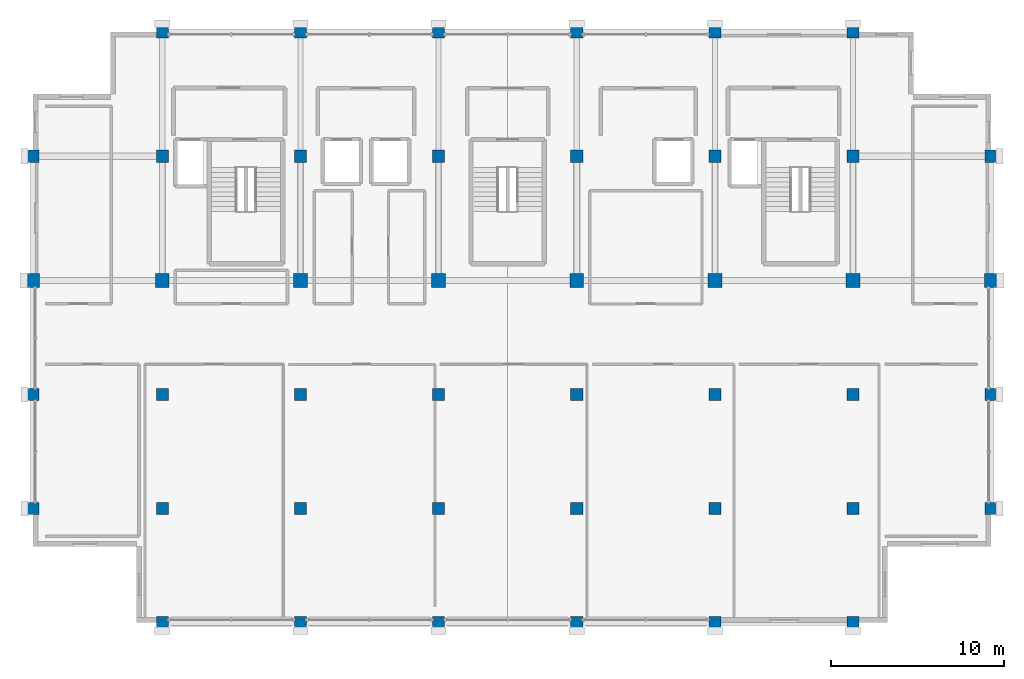
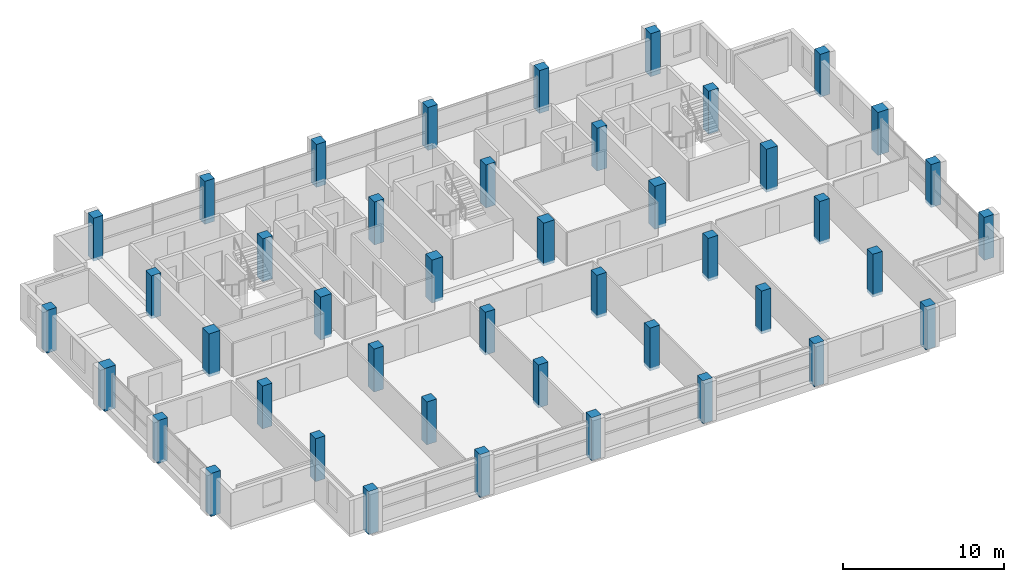
# One storey, part 1 of 24: 44 columns.
"""IFC4 building model written with IfcOpenShell, lengths in metres."""

from ifc_helpers import new_model, si_unit, direction, frame, origin, origin_2d, place, context, subcontext, project, spatial, rectangle, extrude, material, material_profile, profile_set, type_object, element, save


model = new_model("IFC4")

# Units and contexts
model_context = context("Model", 3, precision=1e-05, world=origin(), true_north=direction((0.0, 1.0)))
body_context = subcontext(model_context, "Body", "Model", "MODEL_VIEW")
ifc_project = project(units=[si_unit("LENGTHUNIT", "METRE"), si_unit("AREAUNIT", "SQUARE_METRE"), si_unit("VOLUMEUNIT", "CUBIC_METRE"), si_unit("PLANEANGLEUNIT", "RADIAN"), si_unit("MASSUNIT", "GRAM", prefix="KILO")], contexts=[model_context])

# Site, building, storey
site_placement = place(None, origin())
site = spatial("IfcSite", under=ifc_project, at=site_placement, CompositionType="ELEMENT")
building_placement = place(site_placement, origin())
building = spatial("IfcBuilding", under=site, at=building_placement, Name="Akrevak Sports Hall", CompositionType="ELEMENT")
storey_placement = place(building_placement, frame((0.0, 0.0, 56.800048828125)))
storey = spatial("IfcBuildingStorey", under=building, at=storey_placement, Name="L14", CompositionType="ELEMENT", Elevation=56.800048828125)

# Columns
ifc_material = material(Name="Concrete C40/50", Category="concrete")
ifc_material_profile_1 = material_profile(ifc_material, rectangle(XDim=0.699951171875, YDim=0.699951171875, at=origin_2d()), Name="RC 700x700", Category="concrete")
ifc_profile_set_1 = profile_set([ifc_material_profile_1], Name="Concrete C40/50")
column_type_1 = type_object("IfcColumnType", Name="STR-COL-RC700", PredefinedType="COLUMN", material=ifc_profile_set_1)
for number, where, z_axis, x_axis, name in (
    (1, (52.5, 42.0, -0.219970703125), (0.0, 0.0, 1.0), (1.0, 0.0, 0.0), "Column 8/G (L14)"),
    (2, (52.5, 48.60009765625, -0.219970703125), (0.0, 0.0, 1.0), (1.0, 0.0, 0.0), "Column 8/H (L14)"),
    (3, (52.5, 62.39990234375, -0.219970703125), (0.0, 0.0, 1.0), (1.0, 0.0, 0.0), "Column 8/J (L14)"),
    (4, (60.0, 35.39990234375, -0.219970703125), (0.0, 0.0, 1.0), (1.0, 0.0, 0.0), "Column 9/F (L14)"),
    (5, (60.0, 42.0, -0.219970703125), (0.0, 0.0, 1.0), (1.0, 0.0, 0.0), "Column 9/G (L14)"),
    (6, (60.0, 48.60009765625, -0.219970703125), (0.0, 0.0, 1.0), (1.0, 0.0, 0.0), "Column 9/H (L14)"),
    (7, (60.0, 62.39990234375, -0.219970703125), (0.0, 0.0, 1.0), (1.0, 0.0, 0.0), "Column 9/J (L14)"),
    (8, (60.0, 69.60009765625, -0.219970703125), (0.0, 0.0, 1.0), (1.0, 0.0, 0.0), "Column 9/K (L14)"),
    (9, (68.0, 35.39990234375, -0.219970703125), (0.0, 0.0, 1.0), (1.0, 0.0, 0.0), "Column 10/F (L14)"),
    (10, (68.0, 42.0, -0.219970703125), (0.0, 0.0, 1.0), (1.0, 0.0, 0.0), "Column 10/G (L14)"),
    (11, (68.0, 48.60009765625, -0.219970703125), (0.0, 0.0, 1.0), (1.0, 0.0, 0.0), "Column 10/H (L14)"),
    (12, (68.0, 62.39990234375, -0.219970703125), (0.0, 0.0, 1.0), (1.0, 0.0, 0.0), "Column 10/J (L14)"),
    (13, (68.0, 69.60009765625, -0.219970703125), (0.0, 0.0, 1.0), (1.0, 0.0, 0.0), "Column 10/K (L14)"),
    (14, (76.0, 35.39990234375, -0.219970703125), (0.0, 0.0, 1.0), (1.0, 0.0, 0.0), "Column 11/F (L14)"),
    (15, (76.0, 42.0, -0.219970703125), (0.0, 0.0, 1.0), (1.0, 0.0, 0.0), "Column 11/G (L14)"),
    (16, (76.0, 48.60009765625, -0.219970703125), (0.0, 0.0, 1.0), (1.0, 0.0, 0.0), "Column 11/H (L14)"),
    (17, (76.0, 62.39990234375, -0.219970703125), (0.0, 0.0, 1.0), (1.0, 0.0, 0.0), "Column 11/J (L14)"),
    (18, (76.0, 69.60009765625, -0.219970703125), (0.0, 0.0, 1.0), (1.0, 0.0, 0.0), "Column 11/K (L14)"),
    (19, (84.0, 35.39990234375, -0.219970703125), (0.0, 0.0, 1.0), (1.0, 0.0, 0.0), "Column 12/F (L14)"),
    (20, (84.0, 42.0, -0.219970703125), (0.0, 0.0, 1.0), (1.0, 0.0, 0.0), "Column 12/G (L14)"),
    (21, (84.0, 48.60009765625, -0.219970703125), (0.0, 0.0, 1.0), (1.0, 0.0, 0.0), "Column 12/H (L14)"),
    (22, (84.0, 62.39990234375, -0.219970703125), (0.0, 0.0, 1.0), (1.0, 0.0, 0.0), "Column 12/J (L14)"),
    (23, (84.0, 69.60009765625, -0.219970703125), (0.0, 0.0, 1.0), (1.0, 0.0, 0.0), "Column 12/K (L14)"),
    (24, (92.0, 35.39990234375, -0.219970703125), (0.0, 0.0, 1.0), (1.0, 0.0, 0.0), "Column 13/F (L14)"),
    (25, (92.0, 42.0, -0.219970703125), (0.0, 0.0, 1.0), (1.0, 0.0, 0.0), "Column 13/G (L14)"),
    (26, (92.0, 48.60009765625, -0.219970703125), (0.0, 0.0, 1.0), (1.0, 0.0, 0.0), "Column 13/H (L14)"),
    (27, (92.0, 62.39990234375, -0.219970703125), (0.0, 0.0, 1.0), (1.0, 0.0, 0.0), "Column 13/J (L14)"),
    (28, (92.0, 69.60009765625, -0.219970703125), (0.0, 0.0, 1.0), (1.0, 0.0, 0.0), "Column 13/K (L14)"),
    (29, (100.0, 35.39990234375, -0.219970703125), (0.0, 0.0, 1.0), (1.0, 0.0, 0.0), "Column 14/F (L14)"),
    (30, (100.0, 42.0, -0.219970703125), (0.0, 0.0, 1.0), (1.0, 0.0, 0.0), "Column 14/G (L14)"),
    (31, (100.0, 48.60009765625, -0.219970703125), (0.0, 0.0, 1.0), (1.0, 0.0, 0.0), "Column 14/H (L14)"),
    (32, (100.0, 62.39990234375, -0.219970703125), (0.0, 0.0, 1.0), (1.0, 0.0, 0.0), "Column 14/J (L14)"),
    (33, (100.0, 69.60009765625, -0.219970703125), (0.0, 0.0, 1.0), (1.0, 0.0, 0.0), "Column 14/K (L14)"),
    (34, (108.0, 42.0, -0.219970703125), (0.0, 0.0, 1.0), (1.0, 0.0, 0.0), "Column 15/G (L14)"),
    (35, (108.0, 48.60009765625, -0.219970703125), (0.0, 0.0, 1.0), (1.0, 0.0, 0.0), "Column 15/H (L14)"),
    (36, (108.0, 62.39990234375, -0.219970703125), (0.0, 0.0, 1.0), (1.0, 0.0, 0.0), "Column 15/J (L14)"),
):
    element("IfcColumn", number, at=place(storey_placement, frame(where, z_axis=z_axis, x_axis=x_axis)), inside=storey, type_object=column_type_1, Name=name, PredefinedType="COLUMN", context=body_context, shape_type="SweptSolid", body=[
        extrude(rectangle(XDim=0.699951171875, YDim=0.699951171875, at=origin_2d()), origin(), (0.0, 0.0, 1.0), 3.260009765625),
    ])
ifc_material_profile_2 = material_profile(ifc_material, rectangle(XDim=0.800048828125, YDim=0.800048828125, at=origin_2d()), Name="RC 800x800", Category="concrete")
ifc_profile_set_2 = profile_set([ifc_material_profile_2], Name="Concrete C40/50")
column_type_2 = type_object("IfcColumnType", Name="STR-COL-RC800", PredefinedType="COLUMN", material=ifc_profile_set_2)
for number, where, z_axis, x_axis, name in (
    (37, (52.5, 55.199951171875, -0.219970703125), (0.0, 0.0, 1.0), (1.0, 0.0, 0.0), "Column 8/I (L14)"),
    (38, (60.0, 55.199951171875, -0.219970703125), (0.0, 0.0, 1.0), (1.0, 0.0, 0.0), "Column 9/I (L14)"),
    (39, (68.0, 55.199951171875, -0.219970703125), (0.0, 0.0, 1.0), (1.0, 0.0, 0.0), "Column 10/I (L14)"),
    (40, (76.0, 55.199951171875, -0.219970703125), (0.0, 0.0, 1.0), (1.0, 0.0, 0.0), "Column 11/I (L14)"),
    (41, (84.0, 55.199951171875, -0.219970703125), (0.0, 0.0, 1.0), (1.0, 0.0, 0.0), "Column 12/I (L14)"),
    (42, (92.0, 55.199951171875, -0.219970703125), (0.0, 0.0, 1.0), (1.0, 0.0, 0.0), "Column 13/I (L14)"),
    (43, (100.0, 55.199951171875, -0.219970703125), (0.0, 0.0, 1.0), (1.0, 0.0, 0.0), "Column 14/I (L14)"),
    (44, (108.0, 55.199951171875, -0.219970703125), (0.0, 0.0, 1.0), (1.0, 0.0, 0.0), "Column 15/I (L14)"),
):
    element("IfcColumn", number, at=place(storey_placement, frame(where, z_axis=z_axis, x_axis=x_axis)), inside=storey, type_object=column_type_2, Name=name, PredefinedType="COLUMN", context=body_context, shape_type="SweptSolid", body=[
        extrude(rectangle(XDim=0.800048828125, YDim=0.800048828125, at=origin_2d()), origin(), (0.0, 0.0, 1.0), 3.260009765625),
    ])

save(model, "model.ifc")
